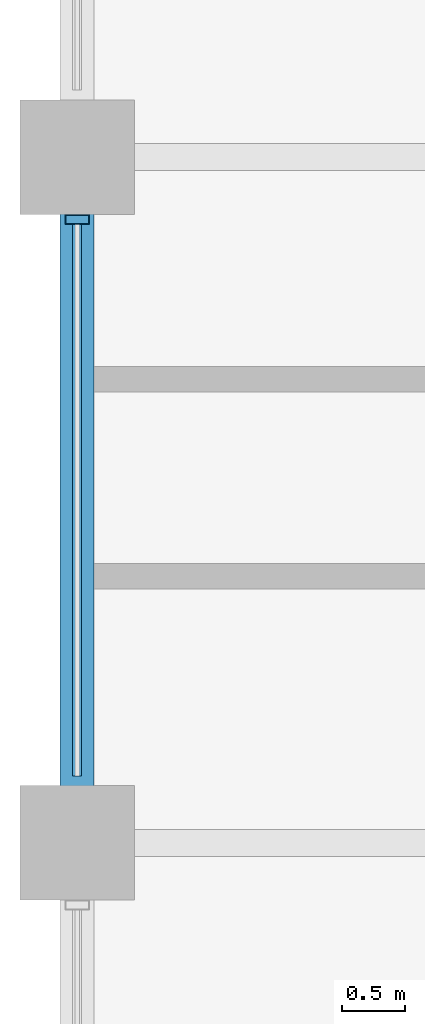
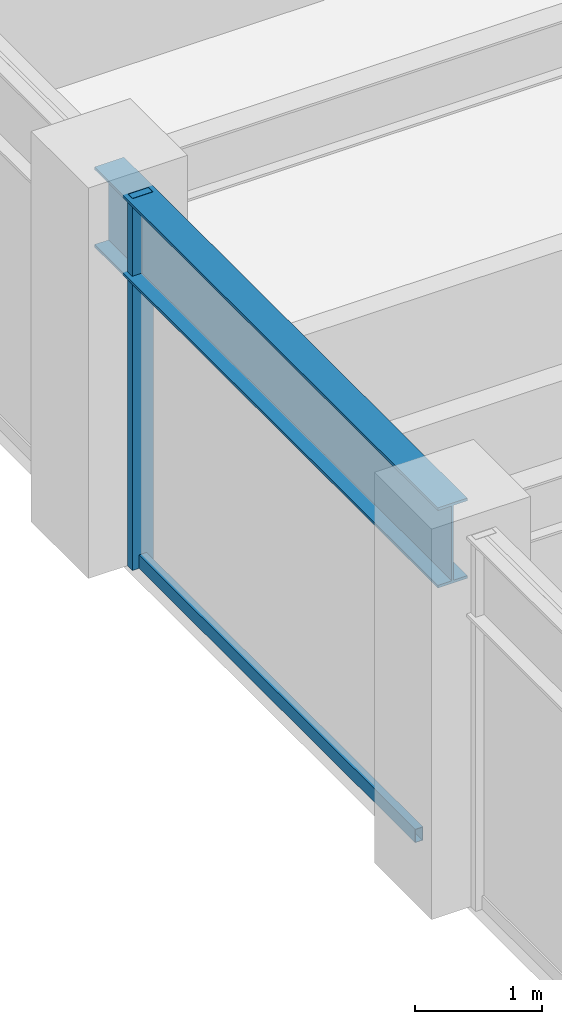
# One storey, part 8 of 32: 2 members, 1 beam, 1 element without a shape of its own.
"""IFC4 building model written with IfcOpenShell, lengths in metres."""

import ifcopenshell
import ifcopenshell.guid

model = None  # the IFC model being written
_history = None  # IfcOwnerHistory: only IFC2X3 demands one
_inside = {}  # id of a spatial element -> (the spatial element, [elements in it])
_under = {}  # id of a project, library or spatial element -> (it, [spatial elements below it])
_declared = {}  # id of a project -> (the project, [libraries it declares])
_typed = {}  # id of a type object -> (the type object, [elements of that type])
_made_of = {}  # id of a material, layer set ... -> (it, [elements and type objects made of it])


def new_model(schema):
    """Start an empty IFC model of exactly this schema.

    Asked for "IFC4X3", IfcOpenShell would pick the latest addendum, in which some entities
    have other attributes; the version numbers below select the first issue.
    IFC2X3 requires an IfcOwnerHistory on every rooted entity: one is made here for all.
    """
    global model, _history
    if schema == "IFC4X3":
        model = ifcopenshell.file(schema_version=(4, 3, 0, 0))
    else:
        model = ifcopenshell.file(schema=schema)
    _inside.clear()
    _under.clear()
    _declared.clear()
    _typed.clear()
    _made_of.clear()
    _history = None
    if model.schema == "IFC2X3":
        org = make("IfcOrganization", Name="unknown")
        user = make(
            "IfcPersonAndOrganization",
            ThePerson=make("IfcPerson", FamilyName="unknown"),
            TheOrganization=org,
        )
        app = make(
            "IfcApplication",
            ApplicationDeveloper=org,
            Version="unknown",
            ApplicationFullName="unknown",
            ApplicationIdentifier="unknown",
        )
        _history = make(
            "IfcOwnerHistory",
            OwningUser=user,
            OwningApplication=app,
            ChangeAction="ADDED",
            CreationDate=0,
        )
    return model


def make(cls, **values):
    """One entity of the class cls with the attributes given. An attribute that is None is left unset."""
    return model.create_entity(
        cls, **{name: value for name, value in values.items() if value is not None}
    )


def rooted(cls, **values):
    """An entity with a GlobalId (a new one), such as an element, a storey or a relation."""
    return make(cls, GlobalId=ifcopenshell.guid.new(), OwnerHistory=_history, **values)


def si_unit(unit_type, name, prefix=None):
    """IfcSIUnit, for example si_unit("LENGTHUNIT", "METRE", prefix="MILLI")."""
    return make("IfcSIUnit", UnitType=unit_type, Prefix=prefix, Name=name)


def assignment(units):
    """IfcUnitAssignment: the units of a project."""
    return None if units is None else make("IfcUnitAssignment", Units=units)


def point(xyz):
    """IfcCartesianPoint."""
    return None if xyz is None else make("IfcCartesianPoint", Coordinates=xyz)


def direction(xyz):
    """IfcDirection."""
    return None if xyz is None else make("IfcDirection", DirectionRatios=xyz)


def frame(location, z_axis=None, x_axis=None):
    """IfcAxis2Placement3D, a coordinate frame: its origin and axes. An axis left out is left unset."""
    return make(
        "IfcAxis2Placement3D",
        Location=point(location),
        Axis=direction(z_axis),
        RefDirection=direction(x_axis),
    )


def frame_2d(location, x_axis=None):
    """IfcAxis2Placement2D, a coordinate frame in the plane: its origin and x axis."""
    return make(
        "IfcAxis2Placement2D", Location=point(location), RefDirection=direction(x_axis)
    )


def origin():
    """The frame at (0, 0, 0) with its axes left unset."""
    return frame((0.0, 0.0, 0.0))


def origin_2d():
    """The frame at (0, 0) in the plane with its x axis left unset."""
    return frame_2d((0.0, 0.0))


def place(relative_to, where):
    """IfcLocalPlacement: puts the frame where relative to a parent placement (None: the world)."""
    return make(
        "IfcLocalPlacement", PlacementRelTo=relative_to, RelativePlacement=where
    )


def context(
    kind, dimensions, precision=None, world=None, true_north=None, identifier=None
):
    """IfcGeometricRepresentationContext, for example the 3D "Model" context."""
    return make(
        "IfcGeometricRepresentationContext",
        ContextIdentifier=identifier,
        ContextType=kind,
        CoordinateSpaceDimension=dimensions,
        Precision=precision,
        WorldCoordinateSystem=world,
        TrueNorth=true_north,
    )


def subcontext(parent, identifier, kind, view, scale=None):
    """IfcGeometricRepresentationSubContext, for example "Body" below "Model"."""
    return make(
        "IfcGeometricRepresentationSubContext",
        ContextIdentifier=identifier,
        ContextType=kind,
        ParentContext=parent,
        TargetScale=scale,
        TargetView=view,
    )


def project(units=None, contexts=None):
    """IfcProject with its units and contexts."""
    return rooted(
        "IfcProject",
        Name="project",
        RepresentationContexts=contexts,
        UnitsInContext=assignment(units),
    )


def spatial(cls, under=None, at=None, **own):
    """A site, building, storey or space (cls), placed at a placement, below another one or the project."""
    s = rooted(cls, ObjectPlacement=at, **own)
    if under is not None:
        _under.setdefault(under.id(), (under, []))[1].append(s)
    return s


def profile(cls, at=None, kind="AREA", **sizes):
    """A parametric profile (cls). Its sizes go by their IFC names, for example OverallWidth=200.0."""
    return make(cls, ProfileType=kind, Position=at, **sizes)


def hollow_rectangle(**sizes):
    """IfcRectangleHollowProfileDef."""
    return profile("IfcRectangleHollowProfileDef", **sizes)


def i_section(**sizes):
    """IfcIShapeProfileDef."""
    return profile("IfcIShapeProfileDef", **sizes)


def extrude(swept, where, along, depth):
    """IfcExtrudedAreaSolid: the profile swept, set in the frame where, extruded along a direction by depth."""
    return make(
        "IfcExtrudedAreaSolid",
        SweptArea=swept,
        Position=where,
        ExtrudedDirection=direction(along),
        Depth=depth,
    )


def shape(context_of_items, identifier, shape_type, items):
    """IfcShapeRepresentation: the items that make up one representation, for example the "Body"."""
    return make(
        "IfcShapeRepresentation",
        ContextOfItems=context_of_items,
        RepresentationIdentifier=identifier,
        RepresentationType=shape_type,
        Items=items,
    )


def material(Name=None, Category=None):
    """IfcMaterial."""
    return make("IfcMaterial", Name=Name, Category=Category)


def layer(
    of_material, thickness, ventilated=None, Name=None, Category=None, Priority=None
):
    """IfcMaterialLayer: one layer of a wall or slab, of a material (None: an air gap)."""
    return make(
        "IfcMaterialLayer",
        Material=of_material,
        LayerThickness=thickness,
        IsVentilated=ventilated,
        Name=Name,
        Category=Category,
        Priority=Priority,
    )


def layer_set(layers, Name=None):
    """IfcMaterialLayerSet."""
    return make("IfcMaterialLayerSet", MaterialLayers=layers, LayerSetName=Name)


def material_profile(
    of_material, cross_section, Name=None, Category=None, Priority=None
):
    """IfcMaterialProfile: a cross section and its material."""
    return make(
        "IfcMaterialProfile",
        Name=Name,
        Material=of_material,
        Profile=cross_section,
        Priority=Priority,
        Category=Category,
    )


def profile_set(profiles, Name=None, composite=None):
    """IfcMaterialProfileSet."""
    return make(
        "IfcMaterialProfileSet",
        Name=Name,
        MaterialProfiles=profiles,
        CompositeProfile=composite,
    )


def made_of(thing, what):
    """Note that an element or type object is made of a material, layer set ...; save() writes the relation."""
    if what is not None:
        _made_of.setdefault(what.id(), (what, []))[1].append(thing)
    return thing


def type_object(cls, material=None, **own):
    """A type object (cls), such as IfcWallType, which elements share."""
    return made_of(rooted(cls, **own), material)


def element(
    cls,
    number,
    at=None,
    inside=None,
    cuts=None,
    type_object=None,
    material=None,
    context=None,
    identifier="Body",
    shape_type=None,
    held_by="IfcProductDefinitionShape",
    body=None,
    shapes=None,
    **own,
):
    """One element of the class cls, such as IfcWall. Its Tag is "e" and its number.

    at: its placement. inside: the storey or other place that contains it. cuts: it is an
    opening in that element (IfcRelVoidsElement). A single representation is given by context,
    identifier, shape_type and body (its items); several are given by shapes. held_by: the class
    of the entity that holds the representations. save() writes the other relations.
    """
    e = rooted(cls, Tag="e%d" % number, ObjectPlacement=at, **own)
    if body is not None:
        shapes = [shape(context, identifier, shape_type, body)]
    if shapes is not None:
        e.Representation = make(held_by, Representations=shapes)
    if inside is not None:
        _inside.setdefault(inside.id(), (inside, []))[1].append(e)
    if cuts is not None:
        rooted(
            "IfcRelVoidsElement", RelatingBuildingElement=cuts, RelatedOpeningElement=e
        )
    if type_object is not None:
        _typed.setdefault(type_object.id(), (type_object, []))[1].append(e)
    return made_of(e, material)


def aggregate(whole, parts):
    """IfcRelAggregates: a whole, such as a stair, and the parts it consists of."""
    return rooted("IfcRelAggregates", RelatingObject=whole, RelatedObjects=parts)


def save(model, path):
    """Write the relations noted so far, then the file.

    IfcRelAggregates (storeys below a building ...), IfcRelContainedInSpatialStructure (elements
    in a storey), IfcRelDefinesByType, IfcRelAssociatesMaterial and IfcRelDeclares: one each for
    every whole, place, type object, material and project.
    """
    for whole, parts in _under.values():
        aggregate(whole, parts)
    for where, things in _inside.values():
        rooted(
            "IfcRelContainedInSpatialStructure",
            RelatedElements=things,
            RelatingStructure=where,
        )
    for kind, things in _typed.values():
        rooted("IfcRelDefinesByType", RelatedObjects=things, RelatingType=kind)
    for what, things in _made_of.values():
        rooted("IfcRelAssociatesMaterial", RelatedObjects=things, RelatingMaterial=what)
    for by, libraries in _declared.values():
        rooted("IfcRelDeclares", RelatingContext=by, RelatedDefinitions=libraries)
    model.write(path)


model = new_model("IFC4")

# Units and contexts
model_context = context("Model", 3, precision=1e-05, world=origin(), true_north=direction((0.0, 1.0)))
body_context = subcontext(model_context, "Body", "Model", "MODEL_VIEW")
ifc_project = project(units=[si_unit("LENGTHUNIT", "METRE"), si_unit("AREAUNIT", "SQUARE_METRE"), si_unit("VOLUMEUNIT", "CUBIC_METRE"), si_unit("PLANEANGLEUNIT", "RADIAN"), si_unit("MASSUNIT", "GRAM", prefix="KILO")], contexts=[model_context])

# Site, building, storey
site_placement = place(None, origin())
site = spatial("IfcSite", under=ifc_project, at=site_placement, CompositionType="ELEMENT")
building_placement = place(site_placement, origin())
building = spatial("IfcBuilding", under=site, at=building_placement, Name="Surkhivell Harbour Commons", CompositionType="ELEMENT")
storey_placement = place(building_placement, frame((0.0, 0.0, 208.5)))
storey = spatial("IfcBuildingStorey", under=building, at=storey_placement, Name="L54", CompositionType="ELEMENT", Elevation=208.5)

# Beam
ifc_material_1 = material(Name="Steel S355", Category="steel")
ifc_material_profile_1 = material_profile(ifc_material_1, i_section(OverallWidth=0.26806640625, OverallDepth=0.77001953125, WebThickness=0.015625, FlangeThickness=0.025390625, at=origin_2d()), Name="UB762x267x197")
ifc_profile_set_1 = profile_set([ifc_material_profile_1], Name="Steel S355")
beam_type = type_object("IfcBeamType", Name="BM-SPN-762", PredefinedType="SPANDREL", material=ifc_profile_set_1)
beam_placement = place(storey_placement, frame((-27.0, -5.39990234375, 3.18505859375), z_axis=(0.0, 1.0, 0.0), x_axis=(-1.0, 0.0, 0.0)))
element("IfcBeam", 1, at=beam_placement, inside=storey, type_object=beam_type, Name="L54 Tube Spandrel (-27.0,-5.4)", PredefinedType="SPANDREL", context=body_context, shape_type="SweptSolid", body=[
    extrude(i_section(OverallWidth=0.26806640625, OverallDepth=0.77001953125, WebThickness=0.015625, FlangeThickness=0.025390625, at=origin_2d()), origin(), (0.0, 0.0, 1.0), 5.39990234375),
])

# Curtain wall, members
ifc_material_2 = material(Name="Anodised pale-metal aluminium and insulated glazing", Category="aluminium")
ifc_layer = layer(ifc_material_2, 0.18994140625)
ifc_layer_set = layer_set([ifc_layer], Name="Anodised pale-metal aluminium and insulated glazing")
curtain_wall_type = type_object("IfcCurtainWallType", Name="CW-SYS-Z3", PredefinedType="NOTDEFINED", material=ifc_layer_set)
curtain_wall_placement = place(storey_placement, origin())
curtain_wall = element("IfcCurtainWall", 2, at=curtain_wall_placement, inside=storey, type_object=curtain_wall_type, Name="L54 Curtain Wall CW-L54-E12S1", PredefinedType="NOTDEFINED")
ifc_material_3 = material(Name="Anodised pale-metal aluminium alloy 6063-T6", Category="aluminium")
ifc_material_profile_2 = material_profile(ifc_material_3, hollow_rectangle(XDim=0.074951171875, YDim=0.18994140625, WallThickness=0.00390625, at=origin_2d()), Name="ALU-MULL-75x190")
ifc_profile_set_2 = profile_set([ifc_material_profile_2], Name="Anodised pale-metal aluminium alloy 6063-T6")
member_type_1 = type_object("IfcMemberType", Name="CWM-190", PredefinedType="MULLION", material=ifc_profile_set_2)
member_1_placement = place(storey_placement, frame((-27.0, -0.489501953125, 0.0), z_axis=(0.0, 0.0, 1.0), x_axis=(0.0, -1.0, 0.0)))
member_1 = element("IfcMember", 3, at=member_1_placement, type_object=member_type_1, Name="CW-Z3 mullion 5", PredefinedType="MULLION", context=body_context, shape_type="SweptSolid", body=[
    extrude(hollow_rectangle(XDim=0.074951171875, YDim=0.18994140625, WallThickness=0.00390625, at=origin_2d()), origin(), (0.0, 0.0, 1.0), 3.570068359375),
])
ifc_material_4 = material(Name="Champagne anodised aluminium alloy 6063-T6", Category="aluminium")
ifc_material_profile_3 = material_profile(ifc_material_4, hollow_rectangle(XDim=0.070068359375, YDim=0.1298828125, WallThickness=0.00341796875, at=origin_2d()), Name="ALU-TRAN-70x130")
ifc_profile_set_3 = profile_set([ifc_material_profile_3], Name="Champagne anodised aluminium alloy 6063-T6")
member_type_2 = type_object("IfcMemberType", Name="CWT-130", PredefinedType="USERDEFINED", material=ifc_profile_set_3)
member_2_placement = place(storey_placement, frame((-27.0, -0.527099609375, 0.06494140625), z_axis=(0.0, -1.0, 0.0), x_axis=(1.0, 0.0, 0.0)))
member_2 = element("IfcMember", 4, at=member_2_placement, type_object=member_type_2, Name="CW-Z3 transom 5.1", ObjectType="TRANSOM", PredefinedType="USERDEFINED", context=body_context, shape_type="SweptSolid", body=[
    extrude(hollow_rectangle(XDim=0.070068359375, YDim=0.1298828125, WallThickness=0.00341796875, at=origin_2d()), origin(), (0.0, 0.0, 1.0), 4.345947265625),
])
aggregate(curtain_wall, [member_1, member_2])

save(model, "model.ifc")
